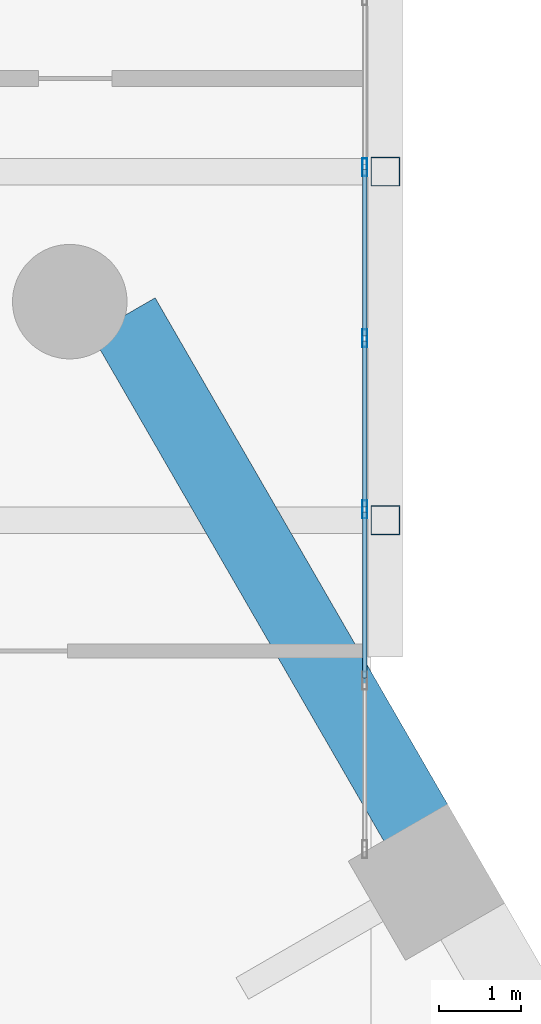
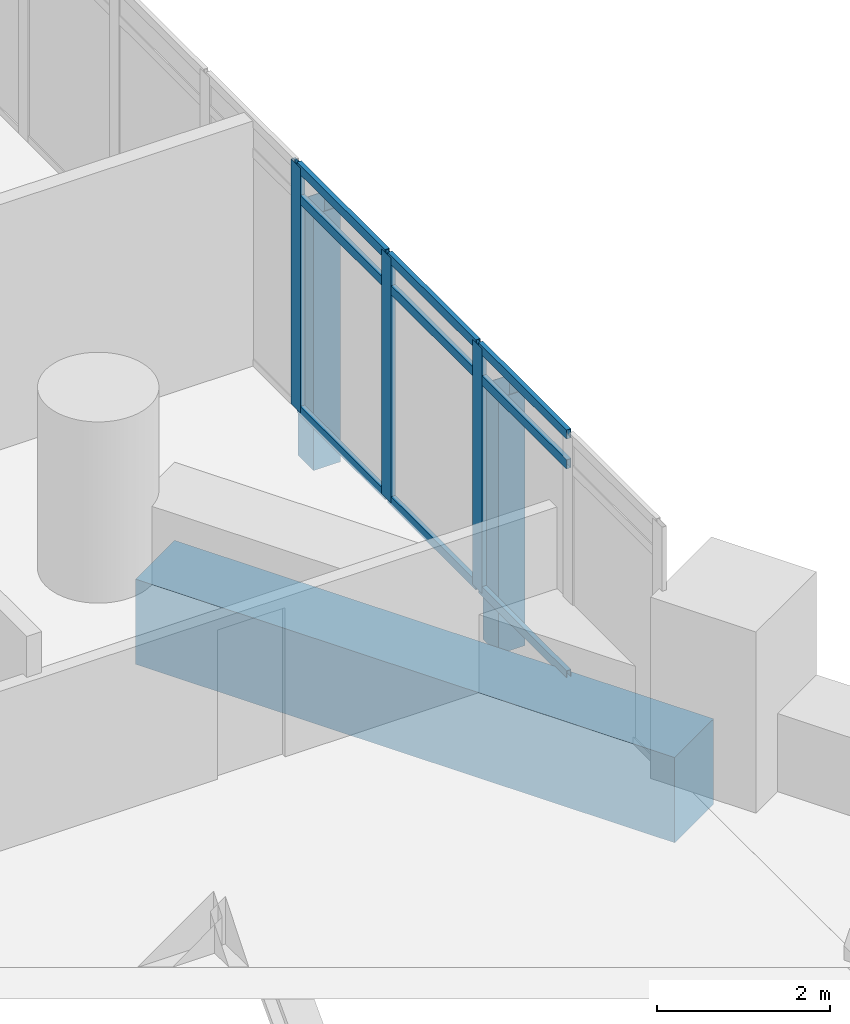
# One storey, part 24 of 38: 14 members, 1 beam, 1 element without a shape of its own.
"""IFC4 building model written with IfcOpenShell, lengths in metres."""

from ifc_helpers import new_model, si_unit, direction, frame, origin, origin_2d, place, context, subcontext, project, spatial, rectangle, hollow_rectangle, extrude, material, material_profile, profile_set, type_object, element, aggregate, save


model = new_model("IFC4")

# Units and contexts
model_context = context("Model", 3, precision=1e-05, world=origin(), true_north=direction((0.0, 1.0)))
body_context = subcontext(model_context, "Body", "Model", "MODEL_VIEW")
ifc_project = project(units=[si_unit("LENGTHUNIT", "METRE"), si_unit("AREAUNIT", "SQUARE_METRE"), si_unit("VOLUMEUNIT", "CUBIC_METRE"), si_unit("PLANEANGLEUNIT", "RADIAN"), si_unit("MASSUNIT", "GRAM", prefix="KILO")], contexts=[model_context])

# Site, building, storey
site_placement = place(None, origin())
site = spatial("IfcSite", under=ifc_project, at=site_placement, CompositionType="ELEMENT")
building_placement = place(site_placement, origin())
building = spatial("IfcBuilding", under=site, at=building_placement, Name="Ostrander Bayou Hotel Tower", CompositionType="ELEMENT")
storey_placement = place(building_placement, frame((0.0, 0.0, 65.5)))
storey = spatial("IfcBuildingStorey", under=building, at=storey_placement, Name="L16", CompositionType="ELEMENT", Elevation=65.5)

# Curtain wall, members
ifc_material_1 = material(Name="Aluminium and clear glass", Category="aluminium")
curtain_wall_type = type_object("IfcCurtainWallType", Name="CW-BAR glazed wall", PredefinedType="NOTDEFINED", material=ifc_material_1)
curtain_wall_placement = place(storey_placement, origin())
curtain_wall = element("IfcCurtainWall", 1, at=curtain_wall_placement, inside=storey, type_object=curtain_wall_type, Name="CW-BAR L16:SB1N:W", PredefinedType="NOTDEFINED")
ifc_material_2 = material(Name="Aluminium", Category="aluminium")
ifc_material_profile_1 = material_profile(ifc_material_2, hollow_rectangle(XDim=0.06005859375, YDim=0.219970703125, WallThickness=0.00390625, at=origin_2d()))
ifc_profile_set_1 = profile_set([ifc_material_profile_1], Name="Aluminium")
member_type_1 = type_object("IfcMemberType", Name="CW-BR mullion 60 x 220 mm", PredefinedType="MULLION", material=ifc_profile_set_1)
member_1_placement = place(storey_placement, frame((14.712158203125, 18.33154296875, 0.0), z_axis=(0.0, 0.0, 1.0), x_axis=(-1.0, 0.0, 0.0)))
member_1 = element("IfcMember", 2, at=member_1_placement, type_object=member_type_1, Name="CW-BAR mullion 3", PredefinedType="MULLION", context=body_context, shape_type="SweptSolid", body=[
    extrude(hollow_rectangle(XDim=0.06005859375, YDim=0.219970703125, WallThickness=0.00390625, at=origin_2d()), origin(), (0.0, 0.0, 1.0), 3.449951171875),
])
member_2_placement = place(storey_placement, frame((14.712158203125, 20.424072265625, 0.0), z_axis=(0.0, 0.0, 1.0), x_axis=(-1.0, 0.0, 0.0)))
member_2 = element("IfcMember", 3, at=member_2_placement, type_object=member_type_1, Name="CW-BAR mullion 4", PredefinedType="MULLION", context=body_context, shape_type="SweptSolid", body=[
    extrude(hollow_rectangle(XDim=0.06005859375, YDim=0.219970703125, WallThickness=0.00390625, at=origin_2d()), origin(), (0.0, 0.0, 1.0), 3.449951171875),
])
member_3_placement = place(storey_placement, frame((14.712158203125, 22.5166015625, 0.0), z_axis=(0.0, 0.0, 1.0), x_axis=(-1.0, 0.0, 0.0)))
member_3 = element("IfcMember", 4, at=member_3_placement, type_object=member_type_1, Name="CW-BAR mullion 5", PredefinedType="MULLION", context=body_context, shape_type="SweptSolid", body=[
    extrude(hollow_rectangle(XDim=0.06005859375, YDim=0.219970703125, WallThickness=0.00390625, at=origin_2d()), origin(), (0.0, 0.0, 1.0), 3.449951171875),
])
ifc_material_3 = material(Name="Aluminium", Category="aluminium")
ifc_material_profile_2 = material_profile(ifc_material_3, hollow_rectangle(XDim=0.06005859375, YDim=0.1298828125, WallThickness=0.00390625, at=origin_2d()))
ifc_profile_set_2 = profile_set([ifc_material_profile_2], Name="Aluminium")
member_type_2 = type_object("IfcMemberType", Name="CW-BR transom 60 x 130 mm", PredefinedType="USERDEFINED", material=ifc_profile_set_2)
member_4_placement = place(storey_placement, frame((14.712158203125, 16.269287109375, 0.030029296875), z_axis=(0.0, 1.0, 0.0), x_axis=(-1.0, 0.0, 0.0)))
member_4 = element("IfcMember", 5, at=member_4_placement, type_object=member_type_2, Name="CW-BAR transom 2.1", ObjectType="TRANSOM", PredefinedType="USERDEFINED", context=body_context, shape_type="SweptSolid", body=[
    extrude(hollow_rectangle(XDim=0.06005859375, YDim=0.1298828125, WallThickness=0.00390625, at=origin_2d()), origin(), (0.0, 0.0, 1.0), 2.032470703125),
])
member_5_placement = place(storey_placement, frame((14.712158203125, 16.269287109375, 3.0), z_axis=(0.0, 1.0, 0.0), x_axis=(-1.0, 0.0, 0.0)))
member_5 = element("IfcMember", 6, at=member_5_placement, type_object=member_type_2, Name="CW-BAR transom 2.2", ObjectType="TRANSOM", PredefinedType="USERDEFINED", context=body_context, shape_type="SweptSolid", body=[
    extrude(hollow_rectangle(XDim=0.06005859375, YDim=0.1298828125, WallThickness=0.00390625, at=origin_2d()), origin(), (0.0, 0.0, 1.0), 2.032470703125),
])
member_6_placement = place(storey_placement, frame((14.712158203125, 16.269287109375, 3.419921875), z_axis=(0.0, 1.0, 0.0), x_axis=(-1.0, 0.0, 0.0)))
member_6 = element("IfcMember", 7, at=member_6_placement, type_object=member_type_2, Name="CW-BAR transom 2.3", ObjectType="TRANSOM", PredefinedType="USERDEFINED", context=body_context, shape_type="SweptSolid", body=[
    extrude(hollow_rectangle(XDim=0.06005859375, YDim=0.1298828125, WallThickness=0.00390625, at=origin_2d()), origin(), (0.0, 0.0, 1.0), 2.032470703125),
])
member_7_placement = place(storey_placement, frame((14.712158203125, 18.361572265625, 0.030029296875), z_axis=(0.0, 1.0, 0.0), x_axis=(-1.0, 0.0, 0.0)))
member_7 = element("IfcMember", 8, at=member_7_placement, type_object=member_type_2, Name="CW-BAR transom 3.1", ObjectType="TRANSOM", PredefinedType="USERDEFINED", context=body_context, shape_type="SweptSolid", body=[
    extrude(hollow_rectangle(XDim=0.06005859375, YDim=0.1298828125, WallThickness=0.00390625, at=origin_2d()), origin(), (0.0, 0.0, 1.0), 2.032470703125),
])
member_8_placement = place(storey_placement, frame((14.712158203125, 18.361572265625, 3.0), z_axis=(0.0, 1.0, 0.0), x_axis=(-1.0, 0.0, 0.0)))
member_8 = element("IfcMember", 9, at=member_8_placement, type_object=member_type_2, Name="CW-BAR transom 3.2", ObjectType="TRANSOM", PredefinedType="USERDEFINED", context=body_context, shape_type="SweptSolid", body=[
    extrude(hollow_rectangle(XDim=0.06005859375, YDim=0.1298828125, WallThickness=0.00390625, at=origin_2d()), origin(), (0.0, 0.0, 1.0), 2.032470703125),
])
member_9_placement = place(storey_placement, frame((14.712158203125, 18.361572265625, 3.419921875), z_axis=(0.0, 1.0, 0.0), x_axis=(-1.0, 0.0, 0.0)))
member_9 = element("IfcMember", 10, at=member_9_placement, type_object=member_type_2, Name="CW-BAR transom 3.3", ObjectType="TRANSOM", PredefinedType="USERDEFINED", context=body_context, shape_type="SweptSolid", body=[
    extrude(hollow_rectangle(XDim=0.06005859375, YDim=0.1298828125, WallThickness=0.00390625, at=origin_2d()), origin(), (0.0, 0.0, 1.0), 2.032470703125),
])
member_10_placement = place(storey_placement, frame((14.712158203125, 20.4541015625, 0.030029296875), z_axis=(0.0, 1.0, 0.0), x_axis=(-1.0, 0.0, 0.0)))
member_10 = element("IfcMember", 11, at=member_10_placement, type_object=member_type_2, Name="CW-BAR transom 4.1", ObjectType="TRANSOM", PredefinedType="USERDEFINED", context=body_context, shape_type="SweptSolid", body=[
    extrude(hollow_rectangle(XDim=0.06005859375, YDim=0.1298828125, WallThickness=0.00390625, at=origin_2d()), origin(), (0.0, 0.0, 1.0), 2.032470703125),
])
member_11_placement = place(storey_placement, frame((14.712158203125, 20.4541015625, 3.0), z_axis=(0.0, 1.0, 0.0), x_axis=(-1.0, 0.0, 0.0)))
member_11 = element("IfcMember", 12, at=member_11_placement, type_object=member_type_2, Name="CW-BAR transom 4.2", ObjectType="TRANSOM", PredefinedType="USERDEFINED", context=body_context, shape_type="SweptSolid", body=[
    extrude(hollow_rectangle(XDim=0.06005859375, YDim=0.1298828125, WallThickness=0.00390625, at=origin_2d()), origin(), (0.0, 0.0, 1.0), 2.032470703125),
])
member_12_placement = place(storey_placement, frame((14.712158203125, 20.4541015625, 3.419921875), z_axis=(0.0, 1.0, 0.0), x_axis=(-1.0, 0.0, 0.0)))
member_12 = element("IfcMember", 13, at=member_12_placement, type_object=member_type_2, Name="CW-BAR transom 4.3", ObjectType="TRANSOM", PredefinedType="USERDEFINED", context=body_context, shape_type="SweptSolid", body=[
    extrude(hollow_rectangle(XDim=0.06005859375, YDim=0.1298828125, WallThickness=0.00390625, at=origin_2d()), origin(), (0.0, 0.0, 1.0), 2.032470703125),
])
aggregate(curtain_wall, [member_1, member_2, member_3, member_4, member_5, member_6, member_7, member_8, member_9, member_10, member_11, member_12])

# Beam
ifc_material_4 = material(Name="Concrete f'c 70 MPa", Category="concrete")
ifc_material_profile_3 = material_profile(ifc_material_4, rectangle(XDim=0.89990234375, YDim=1.199951171875, at=origin_2d()))
ifc_profile_set_3 = profile_set([ifc_material_profile_3], Name="Concrete f'c 70 MPa")
beam_type = type_object("IfcBeamType", Name="SP1 spandrel beam 900 x 1200 mm f'c 70 MPa", PredefinedType="SPANDREL", material=ifc_profile_set_3)
beam_placement = place(storey_placement, frame((15.348388671875, 14.4794921875, -0.60009765625), z_axis=(-0.500014005679, 0.866017317451, 0.0), x_axis=(-0.866017317451, -0.500014005679, 0.0)))
element("IfcBeam", 14, at=beam_placement, inside=storey, type_object=beam_type, Name="SP1 L16 NE-3", PredefinedType="SPANDREL", context=body_context, shape_type="SweptSolid", body=[
    extrude(rectangle(XDim=0.89990234375, YDim=1.199951171875, at=origin_2d()), origin(), (0.0, 0.0, 1.0), 7.176025390625),
])

# Members
ifc_material_5 = material(Name="Steel ASTM A500 Gr C", Category="steel")
ifc_material_profile_4 = material_profile(ifc_material_5, hollow_rectangle(XDim=0.355712890625, YDim=0.355712890625, WallThickness=0.0087890625, at=origin_2d()))
ifc_profile_set_4 = profile_set([ifc_material_profile_4], Name="Steel ASTM A500 Gr C")
member_type_3 = type_object("IfcMemberType", Name="TH3 bar hanger HSS14x14x3/8", PredefinedType="POST", material=ifc_profile_set_4)
for number, where, z_axis, x_axis, name in (
    (15, (14.965087890625, 22.46142578125, -0.771728515625), (0.0, 0.0, 1.0), (1.0, 0.0, 0.0), "TH3 SB1WB H3-1"),
    (16, (14.965087890625, 18.198974609375, -0.771728515625), (0.0, 0.0, 1.0), (1.0, 0.0, 0.0), "TH3 SB1WB H4-1"),
):
    element("IfcMember", number, at=place(storey_placement, frame(where, z_axis=z_axis, x_axis=x_axis)), inside=storey, type_object=member_type_3, Name=name, PredefinedType="POST", context=body_context, shape_type="SweptSolid", body=[
        extrude(hollow_rectangle(XDim=0.355712890625, YDim=0.355712890625, WallThickness=0.0087890625, at=origin_2d()), origin(), (0.0, 0.0, 1.0), 3.599853515625),
    ])

save(model, "model.ifc")
